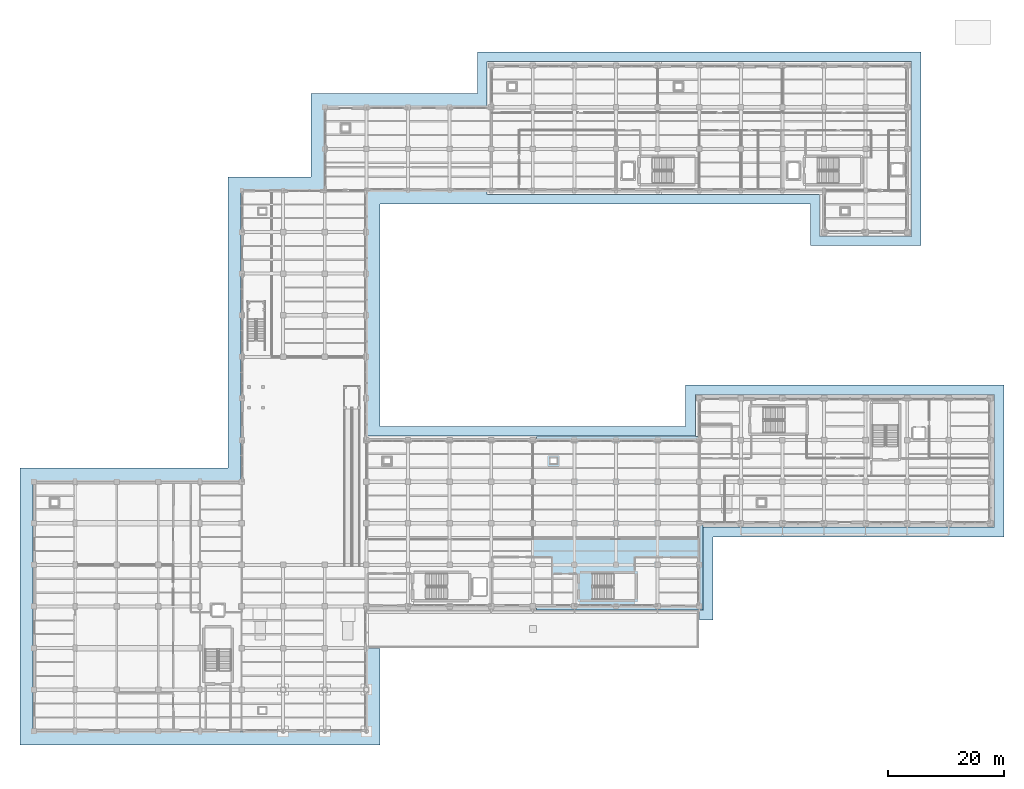
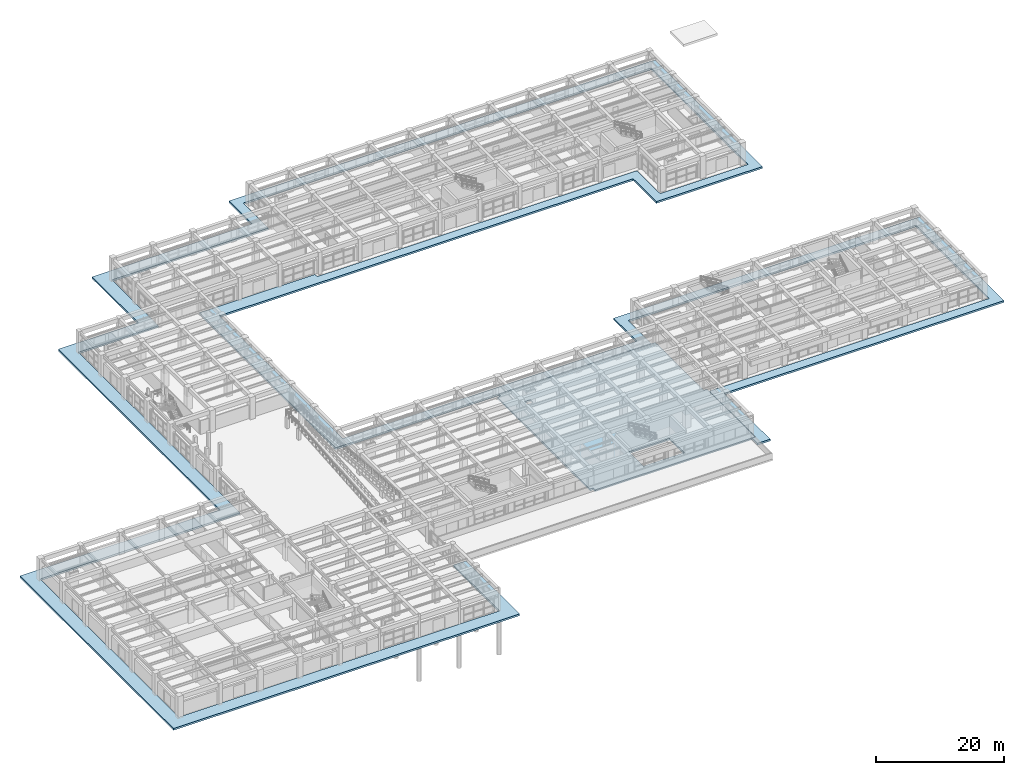
# One storey, part 34 of 64: 2 slabs.
"""IFC4 building model written with IfcOpenShell, lengths in metres."""

from ifc_helpers import new_model, si_unit, direction, frame, origin, place, context, subcontext, project, spatial, polyline, outline, extrude, material, layer, layer_set, type_object, element, save


model = new_model("IFC4")

# Units and contexts
model_context = context("Model", 3, precision=1e-05, world=origin(), true_north=direction((0.0, 1.0)))
body_context = subcontext(model_context, "Body", "Model", "MODEL_VIEW")
ifc_project = project(units=[si_unit("LENGTHUNIT", "METRE"), si_unit("AREAUNIT", "SQUARE_METRE"), si_unit("VOLUMEUNIT", "CUBIC_METRE"), si_unit("PLANEANGLEUNIT", "RADIAN"), si_unit("MASSUNIT", "GRAM", prefix="KILO")], contexts=[model_context])

# Site, building, storey
site_placement = place(None, origin())
site = spatial("IfcSite", under=ifc_project, at=site_placement, CompositionType="ELEMENT")
building_placement = place(site_placement, origin())
building = spatial("IfcBuilding", under=site, at=building_placement, Name="Solenvale Faculty of Natural Sciences", CompositionType="ELEMENT")
storey_placement = place(building_placement, origin())
storey = spatial("IfcBuildingStorey", under=building, at=storey_placement, Name="L00", CompositionType="ELEMENT", Elevation=0.0)

# Slabs
ifc_material = material(Name="Concrete 40 MPa", Category="concrete")
ifc_layer_1 = layer(ifc_material, 0.35009765625)
ifc_layer_set_1 = layer_set([ifc_layer_1], Name="Concrete 40 MPa")
slab_type_1 = type_object("IfcSlabType", Name="SL-BASE-350", PredefinedType="BASESLAB", material=ifc_layer_set_1)
slab_1_placement = place(storey_placement, frame((0.0, 0.0, -0.35009765625)))
element("IfcSlab", 1, at=slab_1_placement, inside=storey, type_object=slab_type_1, Name="L00 Perimeter Campus Walkway Plinth 1", PredefinedType="BASESLAB", context=body_context, shape_type="SweptSolid", body=[
    extrude(outline(polyline([(48.050048828125, 95.949951171875), (48.050048828125, 110.35009765625), (76.85009765625, 110.35009765625), (76.85009765625, 117.550048828125), (153.550048828125, 117.550048828125), (153.550048828125, 84.050048828125), (134.449951171875, 84.050048828125), (134.449951171875, 91.25), (59.949951171875, 91.25), (59.949951171875, 52.75), (112.85009765625, 52.75), (112.85009765625, 59.949951171875), (167.949951171875, 59.949951171875), (167.949951171875, 33.64990234375), (117.550048828125, 33.64990234375), (117.550048828125, 19.25), (115.260009765625, 19.25), (115.260009765625, 20.919921875), (115.794921875, 20.919921875), (115.801025390625, 20.919921875), (115.806884765625, 20.9208984375), (115.81201171875, 20.923095703125), (115.818115234375, 20.925048828125), (115.8359375, 20.931884765625), (115.841064453125, 20.93408203125), (115.845947265625, 20.93701171875), (115.85107421875, 20.94091796875), (115.85498046875, 20.945068359375), (115.85888671875, 20.948974609375), (115.863037109375, 20.9541015625), (115.865966796875, 20.958984375), (115.867919921875, 20.964111328125), (115.875, 20.98193359375), (115.876953125, 20.988037109375), (115.87890625, 20.992919921875), (115.8798828125, 20.9990234375), (115.8798828125, 21.0048828125), (115.8798828125, 35.321044921875), (166.195068359375, 35.320068359375), (166.200927734375, 35.320068359375), (166.2080078125, 35.321044921875), (166.214111328125, 35.322998046875), (166.219970703125, 35.324951171875), (166.22509765625, 35.327880859375), (166.23095703125, 35.33203125), (166.2548828125, 35.34912109375), (166.259033203125, 35.35302734375), (166.262939453125, 35.35693359375), (166.26708984375, 35.361083984375), (166.27001953125, 35.365966796875), (166.27197265625, 35.37109375), (166.27490234375, 35.3759765625), (166.277099609375, 35.381103515625), (166.278076171875, 35.386962890625), (166.279052734375, 35.39208984375), (166.279052734375, 35.39794921875), (166.280029296875, 58.195068359375), (166.280029296875, 58.200927734375), (166.279052734375, 58.2080078125), (166.277099609375, 58.214111328125), (166.27490234375, 58.219970703125), (166.27197265625, 58.22509765625), (166.26806640625, 58.23095703125), (166.2509765625, 58.2548828125), (166.2470703125, 58.259033203125), (166.242919921875, 58.262939453125), (166.239013671875, 58.26708984375), (166.23388671875, 58.27001953125), (166.22900390625, 58.27197265625), (166.22412109375, 58.27490234375), (166.218994140625, 58.277099609375), (166.212890625, 58.278076171875), (166.2080078125, 58.279052734375), (166.201904296875, 58.279052734375), (114.60302734375, 58.280029296875), (114.596923828125, 58.280029296875), (114.591064453125, 58.279052734375), (114.5849609375, 58.277099609375), (114.5791015625, 58.27490234375), (114.573974609375, 58.27294921875), (114.556884765625, 58.263916015625), (114.552001953125, 58.260986328125), (114.547119140625, 58.257080078125), (114.5419921875, 58.251953125), (114.5380859375, 58.248046875), (114.534912109375, 58.241943359375), (114.531982421875, 58.237060546875), (114.529052734375, 58.23095703125), (114.52392578125, 58.215087890625), (114.52197265625, 58.2099609375), (114.52099609375, 58.205078125), (114.52001953125, 58.199951171875), (114.52001953125, 58.195068359375), (114.52001953125, 51.080078125), (87.044921875, 51.080078125), (87.0390625, 51.080078125), (87.032958984375, 51.0791015625), (87.028076171875, 51.076904296875), (87.02197265625, 51.074951171875), (87.02001953125, 51.074951171875), (87.01806640625, 51.074951171875), (87.011962890625, 51.076904296875), (87.007080078125, 51.0791015625), (87.0009765625, 51.080078125), (86.9951171875, 51.080078125), (57.658935546875, 51.080078125), (57.658935546875, 93.5419921875), (78.4599609375, 93.5400390625), (78.4599609375, 92.945068359375), (78.4599609375, 92.93896484375), (78.4609375, 92.93310546875), (78.462890625, 92.927978515625), (78.465087890625, 92.922119140625), (78.471923828125, 92.904052734375), (78.47412109375, 92.89892578125), (78.47705078125, 92.89404296875), (78.48095703125, 92.888916015625), (78.485107421875, 92.885009765625), (78.489013671875, 92.881103515625), (78.493896484375, 92.876953125), (78.4990234375, 92.8740234375), (78.50390625, 92.8720703125), (78.52197265625, 92.864990234375), (78.528076171875, 92.863037109375), (78.532958984375, 92.861083984375), (78.5390625, 92.860107421875), (78.544921875, 92.860107421875), (108.655029296875, 92.860107421875), (108.659912109375, 92.860107421875), (108.6650390625, 92.861083984375), (108.669921875, 92.862060546875), (108.675048828125, 92.864013671875), (108.679931640625, 92.864990234375), (108.681884765625, 92.864990234375), (108.68798828125, 92.863037109375), (108.693115234375, 92.861083984375), (108.698974609375, 92.860107421875), (108.705078125, 92.860107421875), (136.06005859375, 92.860107421875), (136.06005859375, 85.7451171875), (136.06005859375, 85.739013671875), (136.06103515625, 85.73291015625), (136.06298828125, 85.72802734375), (136.06494140625, 85.721923828125), (136.072021484375, 85.7041015625), (136.073974609375, 85.698974609375), (136.076904296875, 85.694091796875), (136.0810546875, 85.68896484375), (136.0849609375, 85.68505859375), (136.089111328125, 85.680908203125), (136.093994140625, 85.677001953125), (136.09912109375, 85.674072265625), (136.10400390625, 85.672119140625), (136.1220703125, 85.6650390625), (136.1279296875, 85.6630859375), (136.133056640625, 85.660888671875), (136.138916015625, 85.659912109375), (136.14501953125, 85.659912109375), (151.864990234375, 85.662109375), (151.8701171875, 85.662109375), (151.8759765625, 85.6630859375), (151.882080078125, 85.6640625), (151.887939453125, 85.666015625), (151.89306640625, 85.6689453125), (151.89794921875, 85.672119140625), (151.903076171875, 85.676025390625), (151.906982421875, 85.679931640625), (151.910888671875, 85.68408203125), (151.9150390625, 85.68896484375), (151.929931640625, 85.7119140625), (151.93310546875, 85.717041015625), (151.93505859375, 85.721923828125), (151.93701171875, 85.72802734375), (151.93896484375, 85.73291015625), (151.93994140625, 85.739013671875), (151.93994140625, 85.7451171875), (151.93798828125, 92.905029296875), (151.93798828125, 92.910888671875), (151.93701171875, 92.916015625), (151.93603515625, 92.922119140625), (151.93505859375, 92.922119140625), (151.93603515625, 92.924072265625), (151.93798828125, 92.928955078125), (151.93896484375, 92.93408203125), (151.93994140625, 92.93994140625), (151.93994140625, 92.945068359375), (151.93701171875, 115.866943359375), (151.93701171875, 115.873046875), (151.93603515625, 115.87890625), (151.93408203125, 115.885009765625), (151.931884765625, 115.89111328125), (151.928955078125, 115.89599609375), (151.926025390625, 115.902099609375), (151.922119140625, 115.906005859375), (151.91796875, 115.910888671875), (151.9130859375, 115.9150390625), (151.907958984375, 115.91796875), (151.885986328125, 115.930908203125), (151.881103515625, 115.93408203125), (151.8759765625, 115.93603515625), (151.87109375, 115.93798828125), (151.865966796875, 115.93896484375), (151.860107421875, 115.93994140625), (151.85498046875, 115.93994140625), (108.693115234375, 115.93701171875), (108.68701171875, 115.93701171875), (108.680908203125, 115.93603515625), (108.678955078125, 115.93505859375), (108.674072265625, 115.93701171875), (108.66796875, 115.93896484375), (108.662109375, 115.93994140625), (108.655029296875, 115.93994140625), (78.544921875, 115.93994140625), (78.5400390625, 115.93994140625), (78.534912109375, 115.93896484375), (78.530029296875, 115.93798828125), (78.52490234375, 115.93603515625), (78.509033203125, 115.930908203125), (78.5029296875, 115.928955078125), (78.498046875, 115.926025390625), (78.492919921875, 115.922119140625), (78.489013671875, 115.9189453125), (78.485107421875, 115.9150390625), (78.48095703125, 115.909912109375), (78.47802734375, 115.905029296875), (78.47509765625, 115.89990234375), (78.466064453125, 115.881103515625), (78.462890625, 115.8740234375), (78.4609375, 115.867919921875), (78.4599609375, 115.862060546875), (78.4599609375, 115.85498046875), (78.4599609375, 108.056884765625), (50.425048828125, 108.06005859375), (50.419921875, 108.06005859375), (50.4140625, 108.05908203125), (50.408935546875, 108.05810546875), (50.404052734375, 108.055908203125), (50.39892578125, 108.053955078125), (50.39404296875, 108.051025390625), (50.3720703125, 108.0380859375), (50.366943359375, 108.034912109375), (50.362060546875, 108.031005859375), (50.35791015625, 108.02587890625), (50.35400390625, 108.02197265625), (50.35107421875, 108.01611328125), (50.347900390625, 108.010986328125), (50.345947265625, 108.0048828125), (50.343994140625, 107.9990234375), (50.343017578125, 107.992919921875), (50.343017578125, 107.987060546875), (50.340087890625, 93.659912109375), (36.01806640625, 93.658935546875), (36.011962890625, 93.658935546875), (36.007080078125, 93.657958984375), (36.0009765625, 93.656982421875), (35.99609375, 93.655029296875), (35.990966796875, 93.652099609375), (35.986083984375, 93.64990234375), (35.98095703125, 93.64697265625), (35.97705078125, 93.64306640625), (35.972900390625, 93.638916015625), (35.968994140625, 93.635009765625), (35.951904296875, 93.611083984375), (35.947998046875, 93.60498046875), (35.945068359375, 93.60009765625), (35.943115234375, 93.593994140625), (35.94091796875, 93.587890625), (35.93994140625, 93.5810546875), (35.93994140625, 93.574951171875), (35.94091796875, 43.260009765625), (0.02490234375, 43.260009765625), (0.01904296875, 43.260009765625), (0.012939453125, 43.259033203125), (0.008056640625, 43.257080078125), (0.001953125, 43.2548828125), (-0.01611328125, 43.248046875), (-0.02099609375, 43.24609375), (-0.02587890625, 43.242919921875), (-0.031005859375, 43.239013671875), (-0.034912109375, 43.235107421875), (-0.0390625, 43.23095703125), (-0.04296875, 43.22607421875), (-0.0458984375, 43.220947265625), (-0.048095703125, 43.216064453125), (-0.054931640625, 43.197998046875), (-0.056884765625, 43.19189453125), (-0.05908203125, 43.18701171875), (-0.06005859375, 43.180908203125), (-0.06005859375, 43.175048828125), (-0.06005859375, 0.02490234375), (-0.06005859375, 0.02001953125), (-0.05908203125, 0.014892578125), (-0.05810546875, 0.010009765625), (-0.055908203125, 0.0048828125), (-0.051025390625, -0.010986328125), (-0.049072265625, -0.01708984375), (-0.0458984375, -0.02197265625), (-0.0419921875, -0.027099609375), (-0.0390625, -0.031005859375), (-0.034912109375, -0.034912109375), (-0.030029296875, -0.0390625), (-0.02490234375, -0.0419921875), (-0.02001953125, -0.044921875), (-0.0009765625, -0.053955078125), (0.006103515625, -0.056884765625), (0.011962890625, -0.05908203125), (0.01806640625, -0.06005859375), (0.02490234375, -0.06005859375), (35.97509765625, -0.06005859375), (35.97998046875, -0.06005859375), (35.985107421875, -0.05908203125), (35.989990234375, -0.05810546875), (35.9951171875, -0.055908203125), (36.0, -0.054931640625), (36.001953125, -0.054931640625), (36.008056640625, -0.056884765625), (36.012939453125, -0.05908203125), (36.01904296875, -0.06005859375), (36.02490234375, -0.06005859375), (57.589111328125, -0.055908203125), (57.594970703125, -0.055908203125), (57.60107421875, -0.054931640625), (57.60595703125, -0.052978515625), (57.612060546875, -0.051025390625), (57.616943359375, -0.049072265625), (57.6220703125, -0.0458984375), (57.626953125, -0.0419921875), (57.631103515625, -0.0380859375), (57.635009765625, -0.033935546875), (57.638916015625, -0.029052734375), (57.64208984375, -0.02392578125), (57.653076171875, -0.0029296875), (57.655029296875, 0.001953125), (57.656982421875, 0.008056640625), (57.658935546875, 0.012939453125), (57.659912109375, 0.01904296875), (57.659912109375, 0.02490234375), (57.659912109375, 14.340087890625), (59.949951171875, 14.340087890625), (59.949951171875, -2.35009765625), (-2.35009765625, -2.35009765625), (-2.35009765625, 45.550048828125), (33.64990234375, 45.550048828125), (33.64990234375, 95.949951171875), (48.050048828125, 95.949951171875)])), origin(), (0.0, 0.0, 1.0), 0.35009765625),
])
ifc_layer_2 = layer(ifc_material, 0.35009765625)
ifc_layer_set_2 = layer_set([ifc_layer_2], Name="Concrete 40 MPa")
slab_type_2 = type_object("IfcSlabType", Name="SL-FLR-350", PredefinedType="FLOOR", material=ifc_layer_set_2)
slab_2_placement = place(storey_placement, frame((0.0, 0.0, -0.35009765625)))
element("IfcSlab", 2, at=slab_2_placement, inside=storey, type_object=slab_type_2, Name="L00 V4 Floor Slab 2.1", PredefinedType="FLOOR", context=body_context, shape_type="SweptSolid", body=[
    extrude(outline(polyline([(86.455078125, 21.580078125), (86.437255859375, 21.58740234375), (86.429931640625, 21.60498046875), (86.429931640625, 50.39501953125), (86.437255859375, 50.41259765625), (86.455078125, 50.419921875), (87.02001953125, 50.419921875), (87.02001953125, 50.9951171875), (87.02734375, 51.0126953125), (87.044921875, 51.02001953125), (115.155029296875, 51.02001953125), (115.172607421875, 51.0126953125), (115.179931640625, 50.9951171875), (115.18017578125, 50.448486328125), (115.18896484375, 50.433349609375), (115.22021484375, 50.422119140625), (115.22998046875, 50.39892578125), (115.22998046875, 35.999755859375), (115.236328125, 35.9853515625), (115.249755859375, 35.97998046875), (115.797607421875, 35.97998046875), (115.814208984375, 35.970947265625), (115.820068359375, 35.955078125), (115.820068359375, 21.0048828125), (115.812744140625, 20.9873046875), (115.794921875, 20.97998046875), (87.044921875, 20.97998046875), (87.02734375, 20.9873046875), (87.02001953125, 21.0048828125), (87.02001953125, 21.580078125), (86.455078125, 21.580078125)]), holes=[polyline([(96.739990234375, 22.800048828125), (104.10009765625, 22.800048828125), (104.10009765625, 27.300048828125), (96.739990234375, 27.300048828125), (96.739990234375, 22.800048828125)]), polyline([(89.449951171875, 46.35009765625), (90.550048828125, 46.35009765625), (90.550048828125, 47.25), (89.449951171875, 47.25), (89.449951171875, 46.35009765625)])]), origin(), (0.0, 0.0, 1.0), 0.35009765625),
])

save(model, "model.ifc")
